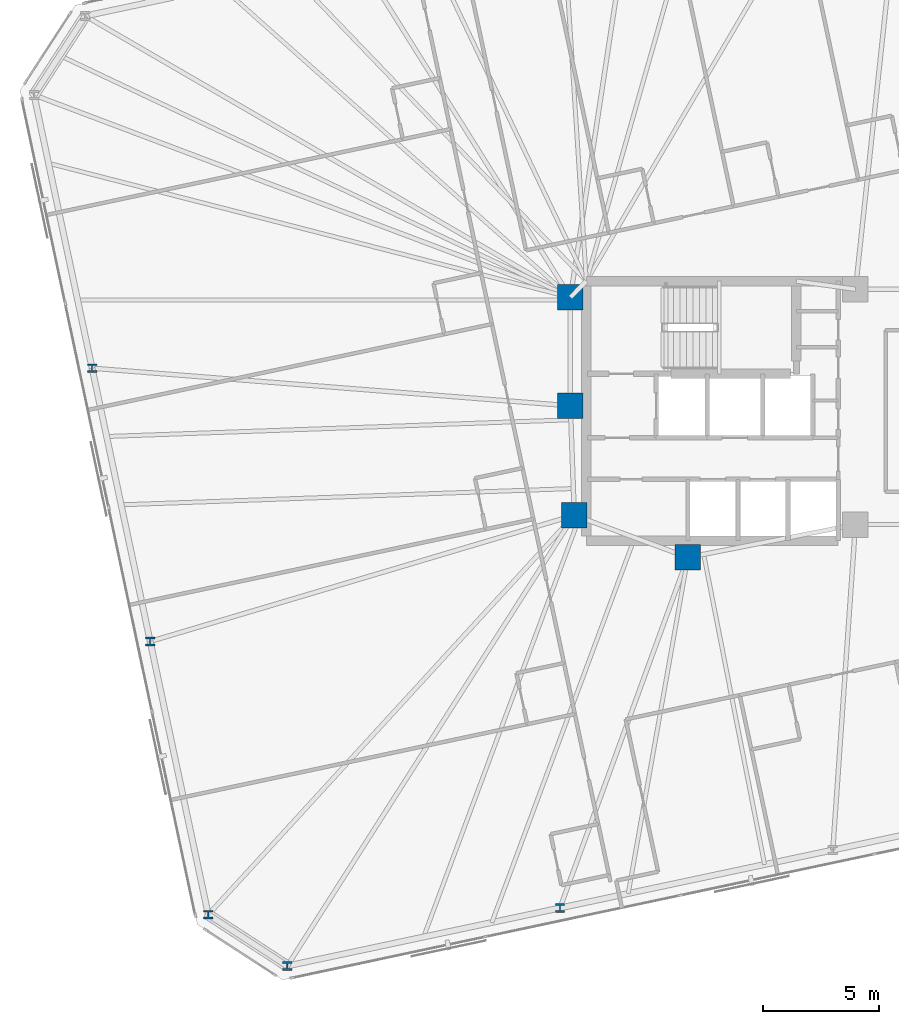
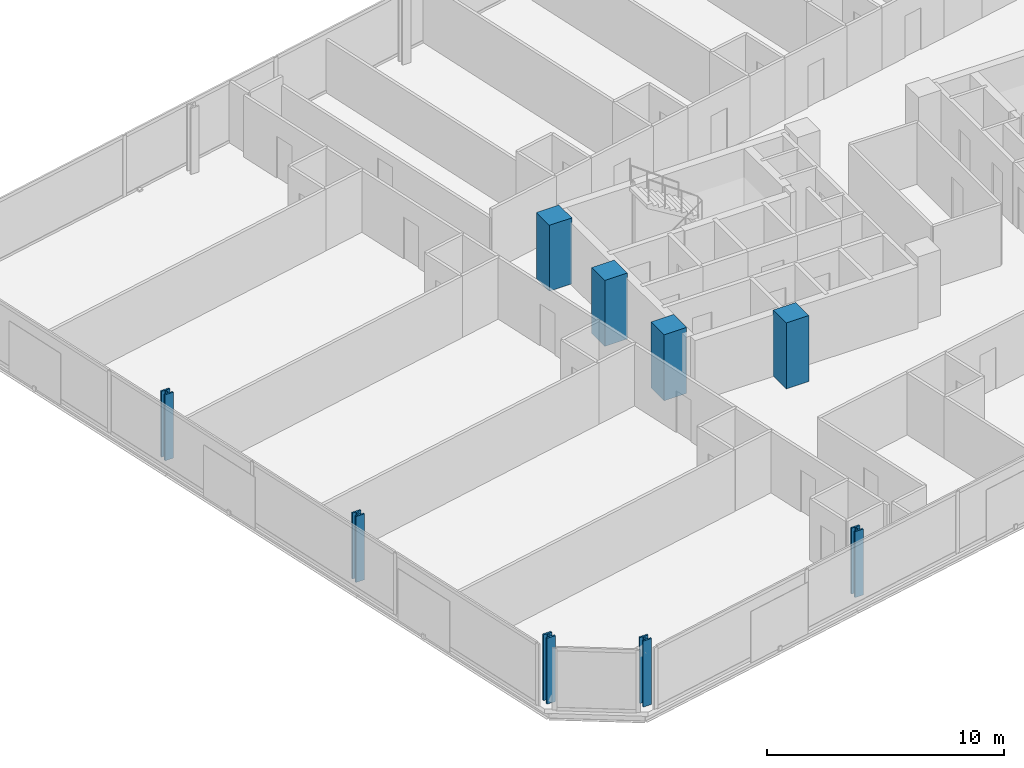
# One storey, part 1 of 20: 9 columns.
"""IFC4 building model written with IfcOpenShell, lengths in metres."""

from ifc_helpers import new_model, si_unit, direction, frame, origin, origin_2d, place, context, subcontext, project, spatial, rectangle, i_section, extrude, material, material_profile, profile_set, type_object, element, save


model = new_model("IFC4")

# Units and contexts
model_context = context("Model", 3, precision=1e-05, world=origin(), true_north=direction((0.0, 1.0)))
body_context = subcontext(model_context, "Body", "Model", "MODEL_VIEW")
ifc_project = project(units=[si_unit("LENGTHUNIT", "METRE"), si_unit("AREAUNIT", "SQUARE_METRE"), si_unit("VOLUMEUNIT", "CUBIC_METRE"), si_unit("PLANEANGLEUNIT", "RADIAN"), si_unit("MASSUNIT", "GRAM", prefix="KILO")], contexts=[model_context])

# Site, building, storey
site_placement = place(None, origin())
site = spatial("IfcSite", under=ifc_project, at=site_placement, CompositionType="ELEMENT")
building_placement = place(site_placement, origin())
building = spatial("IfcBuilding", under=site, at=building_placement, Name="Menara Jurai Vektor", CompositionType="ELEMENT")
storey_placement = place(building_placement, frame((0.0, 0.0, 178.60009765625)))
storey = spatial("IfcBuildingStorey", under=building, at=storey_placement, Name="L46", CompositionType="ELEMENT", Elevation=178.60009765625)

# Columns
ifc_material_1 = material(Name="Concrete C50/60", Category="concrete")
ifc_material_profile_1 = material_profile(ifc_material_1, rectangle(XDim=1.10009765625, YDim=1.10009765625, at=origin_2d()), Name="RC 1100x1100")
ifc_profile_set_1 = profile_set([ifc_material_profile_1], Name="Concrete C50/60")
column_type_1 = type_object("IfcColumnType", Name="STR-COL-RC1100", PredefinedType="COLUMN", material=ifc_profile_set_1)
for number, where, z_axis, x_axis, name in (
    (1, (-15.25, 4.89990234375, 0.0), (0.0, 0.0, 1.0), (1.0, 0.0, 0.0), "Core Spine Column CW-NW L46"),
    (2, (-15.25, 0.219970703125, 0.0), (0.0, 0.0, 1.0), (1.0, 0.0, 0.0), "Core Spine Column CW-WM L46"),
    (3, (-15.080078125, -4.5, 0.0), (0.0, 0.0, 1.0), (1.0, 0.0, 0.0), "Core Spine Column CW-SW L46"),
    (4, (-10.179931640625, -6.320068359375, 0.0), (0.0, 0.0, 1.0), (1.0, 0.0, 0.0), "Core Spine Column CW-SM L46"),
):
    element("IfcColumn", number, at=place(storey_placement, frame(where, z_axis=z_axis, x_axis=x_axis)), inside=storey, type_object=column_type_1, Name=name, PredefinedType="COLUMN", context=body_context, shape_type="SweptSolid", body=[
        extrude(rectangle(XDim=1.10009765625, YDim=1.10009765625, at=origin_2d()), origin(), (0.0, 0.0, 1.0), 3.39990234375),
    ])
ifc_material_2 = material(Name="Steel S460", Category="steel")
ifc_material_profile_2 = material_profile(ifc_material_2, i_section(OverallWidth=0.408935546875, OverallDepth=0.3740234375, WebThickness=0.048095703125, FlangeThickness=0.076904296875, FilletRadius=0.014892578125, at=origin_2d()), Name="HD 400x634")
ifc_profile_set_2 = profile_set([ifc_material_profile_2], Name="Steel S460")
column_type_2 = type_object("IfcColumnType", Name="STR-EXO-BLK3", PredefinedType="COLUMN", material=ifc_profile_set_2)
for number, where, z_axis, x_axis, name in (
    (5, (-27.46484375, -23.94580078125, 0.0), (0.0, 0.0, 1.0), (1.0, 0.0, 0.0), "Exoskeleton Column BLK3-S1 L46"),
    (6, (-15.696533203125, -21.4443359375, 0.0), (0.0, 0.0, 1.0), (1.0, 0.0, 0.0), "Exoskeleton Column BLK3-S2 L46"),
    (7, (-35.8828125, 1.843505859375, 0.0), (0.0, 0.0, 1.0), (1.0, 0.0, 0.0), "Exoskeleton Column BLK3-W2 L46"),
    (8, (-33.377197265625, -9.945068359375, 0.0), (0.0, 0.0, 1.0), (1.0, 0.0, 0.0), "Exoskeleton Column BLK3-W3 L46"),
    (9, (-30.871337890625, -21.7333984375, 0.0), (0.0, 0.0, 1.0), (1.0, 0.0, 0.0), "Exoskeleton Column BLK3-W4 L46"),
):
    element("IfcColumn", number, at=place(storey_placement, frame(where, z_axis=z_axis, x_axis=x_axis)), inside=storey, type_object=column_type_2, Name=name, PredefinedType="COLUMN", context=body_context, shape_type="SweptSolid", body=[
        extrude(i_section(OverallWidth=0.408935546875, OverallDepth=0.3740234375, WebThickness=0.048095703125, FlangeThickness=0.076904296875, FilletRadius=0.014892578125, at=origin_2d()), origin(), (0.0, 0.0, 1.0), 3.39990234375),
    ])

save(model, "model.ifc")
